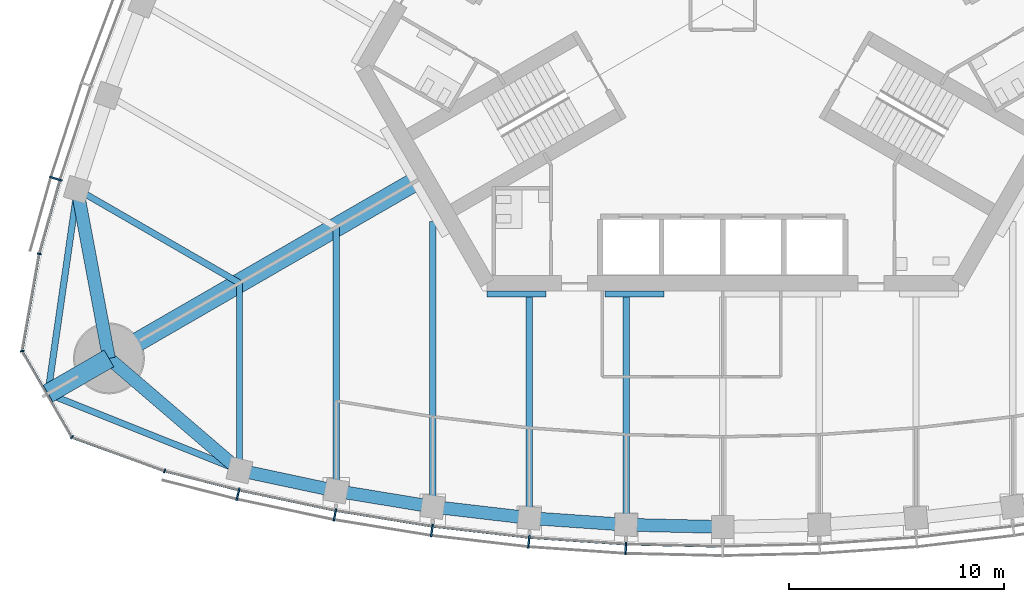
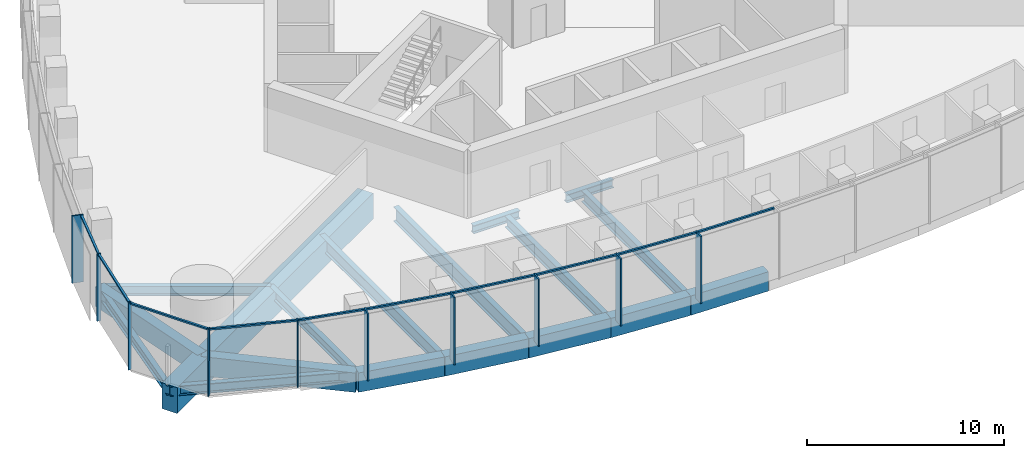
# One storey, part 2 of 19: 20 members, 19 beams, 3 elements without a shape of their own.
"""IFC4 building model written with IfcOpenShell, lengths in metres."""

from ifc_helpers import new_model, si_unit, direction, frame, origin, origin_2d, place, context, subcontext, project, spatial, rectangle, i_section, extrude, material, material_profile, profile_set, type_object, element, aggregate, save


model = new_model("IFC4")

# Units and contexts
model_context = context("Model", 3, precision=1e-05, world=origin(), true_north=direction((0.0, 1.0)))
body_context = subcontext(model_context, "Body", "Model", "MODEL_VIEW")
ifc_project = project(units=[si_unit("LENGTHUNIT", "METRE"), si_unit("AREAUNIT", "SQUARE_METRE"), si_unit("VOLUMEUNIT", "CUBIC_METRE"), si_unit("PLANEANGLEUNIT", "RADIAN"), si_unit("MASSUNIT", "GRAM", prefix="KILO")], contexts=[model_context])

# Site, building, storey
site_placement = place(None, origin())
site = spatial("IfcSite", under=ifc_project, at=site_placement, CompositionType="ELEMENT")
building_placement = place(site_placement, origin())
building = spatial("IfcBuilding", under=site, at=building_placement, Name="Trefoil Bronze Tower", CompositionType="ELEMENT")
storey_placement = place(building_placement, frame((0.0, 0.0, 235.89990234375)))
storey = spatial("IfcBuildingStorey", under=building, at=storey_placement, Name="L54", CompositionType="ELEMENT", Elevation=235.89990234375)

# Curtain wall, members
ifc_material_1 = material(Name="Tinted solar-control glass", Category="glass")
curtain_wall_type_1 = type_object("IfcCurtainWallType", Name="Bronze office curtain wall", PredefinedType="USERDEFINED", material=ifc_material_1)
curtain_wall_1_placement = place(storey_placement, origin())
curtain_wall_1 = element("IfcCurtainWall", 1, at=curtain_wall_1_placement, inside=storey, type_object=curtain_wall_type_1, Name="CW-A L54 F1", ObjectType="CURTAIN WALL", PredefinedType="USERDEFINED")
ifc_material_2 = material(Name="Bronze-finish aluminium", Category="aluminium")
ifc_material_profile_1 = material_profile(ifc_material_2, rectangle(XDim=0.60009765625, YDim=0.080078125, at=origin_2d()), Name="CW-A mullion")
ifc_profile_set_1 = profile_set([ifc_material_profile_1], Name="Bronze-finish aluminium")
member_type_1 = type_object("IfcMemberType", Name="Bronze office curtain wall mullion", PredefinedType="MULLION", material=ifc_profile_set_1)
member_1_placement = place(storey_placement, frame((-22.568115234375, -22.82421875, 0.0), z_axis=(0.0, 0.0, 1.0), x_axis=(0.227082662569, 0.973875487093, 0.0)))
member_1 = element("IfcMember", 2, at=member_1_placement, type_object=member_type_1, Name="CW-A L54 F1 mullion 2", PredefinedType="MULLION", context=body_context, shape_type="SweptSolid", body=[
    extrude(rectangle(XDim=0.60009765625, YDim=0.080078125, at=origin_2d()), origin(), (0.0, 0.0, 1.0), 4.18017578125),
])
member_2_placement = place(storey_placement, frame((-18.05517578125, -23.77783203125, 0.0), z_axis=(0.0, 0.0, 1.0), x_axis=(0.183825368167, 0.982958917767, 0.0)))
member_2 = element("IfcMember", 3, at=member_2_placement, type_object=member_type_1, Name="CW-A L54 F1 mullion 3", PredefinedType="MULLION", context=body_context, shape_type="SweptSolid", body=[
    extrude(rectangle(XDim=0.60009765625, YDim=0.080078125, at=origin_2d()), origin(), (0.0, 0.0, 1.0), 4.18017578125),
])
member_3_placement = place(storey_placement, frame((-13.541259765625, -24.51318359375, 0.0), z_axis=(0.0, 0.0, 1.0), x_axis=(0.137867887204, 0.990450627582, 0.0)))
member_3 = element("IfcMember", 4, at=member_3_placement, type_object=member_type_1, Name="CW-A L54 F1 mullion 4", PredefinedType="MULLION", context=body_context, shape_type="SweptSolid", body=[
    extrude(rectangle(XDim=0.60009765625, YDim=0.080078125, at=origin_2d()), origin(), (0.0, 0.0, 1.0), 4.18017578125),
])
member_4_placement = place(storey_placement, frame((-9.027587890625, -25.03515625, 0.0), z_axis=(0.0, 0.0, 1.0), x_axis=(0.091911396394, 0.995767189263, 0.0)))
member_4 = element("IfcMember", 5, at=member_4_placement, type_object=member_type_1, Name="CW-A L54 F1 mullion 5", PredefinedType="MULLION", context=body_context, shape_type="SweptSolid", body=[
    extrude(rectangle(XDim=0.60009765625, YDim=0.080078125, at=origin_2d()), origin(), (0.0, 0.0, 1.0), 4.18017578125),
])
member_5_placement = place(storey_placement, frame((-4.513671875, -25.346923828125, 0.0), z_axis=(0.0, 0.0, 1.0), x_axis=(0.045955542372, 0.998943485952, 0.0)))
member_5 = element("IfcMember", 6, at=member_5_placement, type_object=member_type_1, Name="CW-A L54 F1 mullion 6", PredefinedType="MULLION", context=body_context, shape_type="SweptSolid", body=[
    extrude(rectangle(XDim=0.60009765625, YDim=0.080078125, at=origin_2d()), origin(), (0.0, 0.0, 1.0), 4.18017578125),
])

# Curtain wall, member
curtain_wall_2_placement = place(storey_placement, origin())
curtain_wall_2 = element("IfcCurtainWall", 7, at=curtain_wall_2_placement, inside=storey, type_object=curtain_wall_type_1, Name="CW-A L54 F3", ObjectType="CURTAIN WALL", PredefinedType="USERDEFINED")
member_6_placement = place(storey_placement, frame((-31.05029296875, -8.132568359375, 0.0), z_axis=(0.0, 0.0, 1.0), x_axis=(0.95694224323, -0.290278389002, 0.0)))
member_6 = element("IfcMember", 8, at=member_6_placement, type_object=member_type_1, Name="CW-A L54 F3 mullion 12", PredefinedType="MULLION", context=body_context, shape_type="SweptSolid", body=[
    extrude(rectangle(XDim=0.60009765625, YDim=0.080078125, at=origin_2d()), origin(), (0.0, 0.0, 1.0), 4.18017578125),
])

# Member
ifc_material_3 = material(Name="Bronze-finish aluminium", Category="aluminium")
ifc_material_profile_2 = material_profile(ifc_material_3, rectangle(XDim=0.1201171875, YDim=0.10009765625, at=origin_2d()), Name="CW-A transom")
ifc_profile_set_2 = profile_set([ifc_material_profile_2], Name="Bronze-finish aluminium")
member_type_2 = type_object("IfcMemberType", Name="Bronze office curtain wall transom", PredefinedType="USERDEFINED", material=ifc_profile_set_2)
member_7_placement = place(storey_placement, frame((-25.93896484375, -21.75732421875, 4.130126953125), z_axis=(0.968935220916, -0.247314653162, 0.0), x_axis=(0.247314653162, 0.968935220916, 0.0)))
member_7 = element("IfcMember", 9, at=member_7_placement, type_object=member_type_2, Name="CW-A L54 F1 transom 1", ObjectType="TRANSOM", PredefinedType="USERDEFINED", context=body_context, shape_type="SweptSolid", body=[
    extrude(rectangle(XDim=0.1201171875, YDim=0.10009765625, at=origin_2d()), origin(), (0.0, 0.0, 1.0), 3.483642578125),
])

member_8_placement = place(storey_placement, frame((-22.4814453125, -22.63818359375, 4.130126953125), z_axis=(0.978395325657, -0.20674280334, 0.0), x_axis=(0.20674280334, 0.978395325657, 0.0)))
member_8 = element("IfcMember", 10, at=member_8_placement, type_object=member_type_2, Name="CW-A L54 F1 transom 2", ObjectType="TRANSOM", PredefinedType="USERDEFINED", context=body_context, shape_type="SweptSolid", body=[
    extrude(rectangle(XDim=0.1201171875, YDim=0.10009765625, at=origin_2d()), origin(), (0.0, 0.0, 1.0), 4.519287109375),
])

member_9_placement = place(storey_placement, frame((-17.9765625, -23.588134765625, 4.130126953125), z_axis=(0.986988367046, -0.160791676761, 0.0), x_axis=(0.160791676761, 0.986988367046, 0.0)))
member_9 = element("IfcMember", 11, at=member_9_placement, type_object=member_type_2, Name="CW-A L54 F1 transom 3", ObjectType="TRANSOM", PredefinedType="USERDEFINED", context=body_context, shape_type="SweptSolid", body=[
    extrude(rectangle(XDim=0.1201171875, YDim=0.10009765625, at=origin_2d()), origin(), (0.0, 0.0, 1.0), 4.479248046875),
])

member_10_placement = place(storey_placement, frame((-13.4716796875, -24.320068359375, 4.130126953125), z_axis=(0.993384885596, -0.114832352013, 0.0), x_axis=(0.114832352013, 0.993384885596, 0.0)))
member_10 = element("IfcMember", 12, at=member_10_placement, type_object=member_type_2, Name="CW-A L54 F1 transom 4", ObjectType="TRANSOM", PredefinedType="USERDEFINED", context=body_context, shape_type="SweptSolid", body=[
    extrude(rectangle(XDim=0.1201171875, YDim=0.10009765625, at=origin_2d()), origin(), (0.0, 0.0, 1.0), 4.449951171875),
])

member_11_placement = place(storey_placement, frame((-8.967041015625, -24.8388671875, 4.130126953125), z_axis=(0.997621320987, -0.06893257512, 0.0), x_axis=(0.06893257512, 0.997621320987, 0.0)))
member_11 = element("IfcMember", 13, at=member_11_placement, type_object=member_type_2, Name="CW-A L54 F1 transom 5", ObjectType="TRANSOM", PredefinedType="USERDEFINED", context=body_context, shape_type="SweptSolid", body=[
    extrude(rectangle(XDim=0.1201171875, YDim=0.10009765625, at=origin_2d()), origin(), (0.0, 0.0, 1.0), 4.4306640625),
])

member_12_placement = place(storey_placement, frame((-4.46240234375, -25.148193359375, 4.130126953125), z_axis=(0.999736131416, -0.022971015226, 0.0), x_axis=(0.022971015226, 0.999736131416, 0.0)))
member_12 = element("IfcMember", 14, at=member_12_placement, type_object=member_type_2, Name="CW-A L54 F1 transom 6", ObjectType="TRANSOM", PredefinedType="USERDEFINED", context=body_context, shape_type="SweptSolid", body=[
    extrude(rectangle(XDim=0.1201171875, YDim=0.10009765625, at=origin_2d()), origin(), (0.0, 0.0, 1.0), 4.42138671875),
])

aggregate(curtain_wall_1, [member_1, member_2, member_3, member_4, member_5, member_7, member_8, member_9, member_10, member_11, member_12])

member_13_placement = place(storey_placement, frame((-30.870361328125, -8.23095703125, 4.130126953125), z_axis=(-0.270284880437, -0.962780392097, 0.0), x_axis=(0.962780392097, -0.270284880437, 0.0)))
member_13 = element("IfcMember", 15, at=member_13_placement, type_object=member_type_2, Name="CW-A L54 F3 transom 12", ObjectType="TRANSOM", PredefinedType="USERDEFINED", context=body_context, shape_type="SweptSolid", body=[
    extrude(rectangle(XDim=0.1201171875, YDim=0.10009765625, at=origin_2d()), origin(), (0.0, 0.0, 1.0), 3.48388671875),
])

aggregate(curtain_wall_2, [member_6, member_13])

# Curtain wall, members
ifc_material_4 = material(Name="Tinted solar-control glass", Category="glass")
curtain_wall_type_2 = type_object("IfcCurtainWallType", Name="Bronze rounded corner curtain wall", PredefinedType="USERDEFINED", material=ifc_material_4)
curtain_wall_3_placement = place(storey_placement, origin())
curtain_wall_3 = element("IfcCurtainWall", 16, at=curtain_wall_3_placement, inside=storey, type_object=curtain_wall_type_2, Name="CW-B L54 K3", ObjectType="CURTAIN WALL", PredefinedType="USERDEFINED")
ifc_material_5 = material(Name="Bronze-finish aluminium", Category="aluminium")
ifc_material_profile_3 = material_profile(ifc_material_5, rectangle(XDim=0.199951171875, YDim=0.06005859375, at=origin_2d()), Name="CW-B mullion")
ifc_profile_set_3 = profile_set([ifc_material_profile_3], Name="Bronze-finish aluminium")
member_type_3 = type_object("IfcMemberType", Name="Bronze rounded corner curtain wall mullion", PredefinedType="MULLION", material=ifc_profile_set_3)
member_14_placement = place(storey_placement, frame((-31.824951171875, -11.63330078125, 0.0), z_axis=(0.0, 0.0, 1.0), x_axis=(0.984807753012, -0.173648177667, 0.0)))
member_14 = element("IfcMember", 17, at=member_14_placement, type_object=member_type_3, Name="CW-B L54 K3 mullion 1", PredefinedType="MULLION", context=body_context, shape_type="SweptSolid", body=[
    extrude(rectangle(XDim=0.199951171875, YDim=0.06005859375, at=origin_2d()), origin(), (0.0, 0.0, 1.0), 4.18017578125),
])
member_15_placement = place(storey_placement, frame((-32.616943359375, -16.158935546875, 0.0), z_axis=(0.0, 0.0, 1.0), x_axis=(0.984807753012, 0.173648177667, 0.0)))
member_15 = element("IfcMember", 18, at=member_15_placement, type_object=member_type_3, Name="CW-B L54 K3 mullion 2", PredefinedType="MULLION", context=body_context, shape_type="SweptSolid", body=[
    extrude(rectangle(XDim=0.199951171875, YDim=0.06005859375, at=origin_2d()), origin(), (0.0, 0.0, 1.0), 4.18017578125),
])
member_16_placement = place(storey_placement, frame((-30.302490234375, -20.16748046875, 0.0), z_axis=(0.0, 0.0, 1.0), x_axis=(0.642787609687, 0.766044443119, 0.0)))
member_16 = element("IfcMember", 19, at=member_16_placement, type_object=member_type_3, Name="CW-B L54 K3 mullion 3", PredefinedType="MULLION", context=body_context, shape_type="SweptSolid", body=[
    extrude(rectangle(XDim=0.199951171875, YDim=0.06005859375, at=origin_2d()), origin(), (0.0, 0.0, 1.0), 4.18017578125),
])
member_17_placement = place(storey_placement, frame((-25.9873046875, -21.74462890625, 0.0), z_axis=(0.0, 0.0, 1.0), x_axis=(0.342020143326, 0.939692620786, 0.0)))
member_17 = element("IfcMember", 20, at=member_17_placement, type_object=member_type_3, Name="CW-B L54 K3 mullion 4", PredefinedType="MULLION", context=body_context, shape_type="SweptSolid", body=[
    extrude(rectangle(XDim=0.199951171875, YDim=0.06005859375, at=origin_2d()), origin(), (0.0, 0.0, 1.0), 4.18017578125),
])
ifc_material_6 = material(Name="Bronze-finish aluminium", Category="aluminium")
ifc_material_profile_4 = material_profile(ifc_material_6, rectangle(XDim=0.1201171875, YDim=0.10009765625, at=origin_2d()), Name="CW-B transom")
ifc_profile_set_4 = profile_set([ifc_material_profile_4], Name="Bronze-finish aluminium")
member_type_4 = type_object("IfcMemberType", Name="Bronze rounded corner curtain wall transom", PredefinedType="USERDEFINED", material=ifc_profile_set_4)
member_18_placement = place(storey_placement, frame((-31.830078125, -11.662841796875, 4.130126953125), z_axis=(-0.173655350028, -0.984806488304, 0.0), x_axis=(0.984806488304, -0.173655350028, 0.0)))
member_18 = element("IfcMember", 21, at=member_18_placement, type_object=member_type_4, Name="CW-B L54 K3 transom 1", ObjectType="TRANSOM", PredefinedType="USERDEFINED", context=body_context, shape_type="SweptSolid", body=[
    extrude(rectangle(XDim=0.1201171875, YDim=0.10009765625, at=origin_2d()), origin(), (0.0, 0.0, 1.0), 4.500244140625),
])
member_19_placement = place(storey_placement, frame((-32.590087890625, -16.217529296875, 4.130126953125), z_axis=(0.500007335828, -0.866021168401, 0.0), x_axis=(0.866021168401, 0.500007335828, 0.0)))
member_19 = element("IfcMember", 22, at=member_19_placement, type_object=member_type_4, Name="CW-B L54 K3 transom 2", ObjectType="TRANSOM", PredefinedType="USERDEFINED", context=body_context, shape_type="SweptSolid", body=[
    extrude(rectangle(XDim=0.1201171875, YDim=0.10009765625, at=origin_2d()), origin(), (0.0, 0.0, 1.0), 4.50048828125),
])
member_20_placement = place(storey_placement, frame((-30.244140625, -20.195068359375, 4.130126953125), z_axis=(0.939680910753, -0.342052314664, 0.0), x_axis=(0.342052314664, 0.939680910753, 0.0)))
member_20 = element("IfcMember", 23, at=member_20_placement, type_object=member_type_4, Name="CW-B L54 K3 transom 3", ObjectType="TRANSOM", PredefinedType="USERDEFINED", context=body_context, shape_type="SweptSolid", body=[
    extrude(rectangle(XDim=0.1201171875, YDim=0.10009765625, at=origin_2d()), origin(), (0.0, 0.0, 1.0), 4.500244140625),
])
aggregate(curtain_wall_3, [member_14, member_15, member_16, member_17, member_18, member_19, member_20])

# Beams
ifc_material_7 = material(Name="Steel C355", Category="steel")
ifc_material_profile_5 = material_profile(ifc_material_7, i_section(OverallWidth=0.300048828125, OverallDepth=0.5, WebThickness=0.014404296875, FlangeThickness=0.028076171875, FilletRadius=0.027099609375, at=origin_2d()), Name="HEB 500")
ifc_profile_set_5 = profile_set([ifc_material_profile_5], Name="Steel C355")
beam_type_1 = type_object("IfcBeamType", Name="Core seat beam HEB 500", PredefinedType="BEAM", material=ifc_profile_set_5)
for number, where, z_axis, x_axis, name in (
    (24, (-10.9697265625, -13.5, -0.449951171875), (1.0, 0.0, 0.0), (0.0, 1.0, 0.0), "Core seat beam F1/-2 L54"),
    (25, (-5.48486328125, -13.5, -0.449951171875), (1.0, 0.0, 0.0), (0.0, 1.0, 0.0), "Core seat beam F1/-1 L54"),
):
    element("IfcBeam", number, at=place(storey_placement, frame(where, z_axis=z_axis, x_axis=x_axis)), inside=storey, type_object=beam_type_1, Name=name, PredefinedType="BEAM", context=body_context, shape_type="SweptSolid", body=[
        extrude(i_section(OverallWidth=0.300048828125, OverallDepth=0.5, WebThickness=0.014404296875, FlangeThickness=0.028076171875, FilletRadius=0.027099609375, at=origin_2d()), origin(), (0.0, 0.0, 1.0), 2.742431640625),
    ])
ifc_material_8 = material(Name="Concrete B80", Category="concrete")
ifc_material_profile_6 = material_profile(ifc_material_8, rectangle(XDim=0.89990234375, YDim=1.60009765625, at=origin_2d()), Name="RC 900x1600")
ifc_profile_set_6 = profile_set([ifc_material_profile_6], Name="Concrete B80")
beam_type_2 = type_object("IfcBeamType", Name="Corner cantilever RC 900x1600", PredefinedType="BEAM", material=ifc_profile_set_6)
beam_1_placement = place(storey_placement, frame((-28.578857421875, -16.5, -1.0), z_axis=(-0.866016004958, -0.500016278891, 0.0), x_axis=(0.500016278891, -0.866016004958, 0.0)))
element("IfcBeam", 26, at=beam_1_placement, inside=storey, type_object=beam_type_2, Name="Corner cantilever K3 L54", PredefinedType="BEAM", context=body_context, shape_type="SweptSolid", body=[
    extrude(rectangle(XDim=0.89990234375, YDim=1.60009765625, at=origin_2d()), origin(), (0.0, 0.0, 1.0), 3.28466796875),
])
ifc_material_9 = material(Name="Steel C355", Category="steel")
ifc_material_profile_7 = material_profile(ifc_material_9, i_section(OverallWidth=0.300048828125, OverallDepth=0.60009765625, WebThickness=0.015380859375, FlangeThickness=0.030029296875, FilletRadius=0.027099609375, at=origin_2d()), Name="HEB 600")
ifc_profile_set_7 = profile_set([ifc_material_profile_7], Name="Steel C355")
beam_type_3 = type_object("IfcBeamType", Name="Corner edge beam HEB 600", PredefinedType="BEAM", material=ifc_profile_set_7)
for number, where, z_axis, x_axis, name in (
    (27, (-22.5, -21.71044921875, -0.5), (-0.92852048463, 0.371281173266, 0.0), (-0.371281173266, -0.92852048463, 0.0), "Corner edge beam F1B L54"),
    (28, (-30.052001953125, -8.63037109375, -0.5), (-0.142694489722, -0.989766781925, 0.0), (0.989766781925, -0.142694489722, 0.0), "Corner edge beam F3A L54"),
):
    element("IfcBeam", number, at=place(storey_placement, frame(where, z_axis=z_axis, x_axis=x_axis)), inside=storey, type_object=beam_type_3, Name=name, PredefinedType="BEAM", context=body_context, shape_type="SweptSolid", body=[
        extrude(i_section(OverallWidth=0.300048828125, OverallDepth=0.60009765625, WebThickness=0.015380859375, FlangeThickness=0.030029296875, FilletRadius=0.027099609375, at=origin_2d()), origin(), (0.0, 0.0, 1.0), 9.6103515625),
    ])
ifc_material_10 = material(Name="Concrete B80", Category="concrete")
ifc_material_profile_8 = material_profile(ifc_material_10, rectangle(XDim=0.89990234375, YDim=1.60009765625, at=origin_2d()), Name="RC 900x1600")
ifc_profile_set_8 = profile_set([ifc_material_profile_8], Name="Concrete B80")
beam_type_4 = type_object("IfcBeamType", Name="Corner girder RC 900x1600", PredefinedType="BEAM", material=ifc_profile_set_8)
beam_2_placement = place(storey_placement, frame((-14.159423828125, -8.175048828125, -1.0), z_axis=(-0.866028334591, -0.49999492366, 0.0), x_axis=(0.49999492366, -0.866028334591, 0.0)))
element("IfcBeam", 29, at=beam_2_placement, inside=storey, type_object=beam_type_4, Name="Corner girder K3 L54", PredefinedType="BEAM", context=body_context, shape_type="SweptSolid", body=[
    extrude(rectangle(XDim=0.89990234375, YDim=1.60009765625, at=origin_2d()), origin(), (0.0, 0.0, 1.0), 16.650146484375),
])
ifc_material_11 = material(Name="Concrete B80", Category="concrete")
ifc_material_profile_9 = material_profile(ifc_material_11, rectangle(XDim=0.60009765625, YDim=1.199951171875, at=origin_2d()), Name="RC 600x1200")
ifc_profile_set_9 = profile_set([ifc_material_profile_9], Name="Concrete B80")
beam_type_5 = type_object("IfcBeamType", Name="End spandrel beam RC 600x1200", PredefinedType="SPANDREL", material=ifc_profile_set_9)
for number, where, z_axis, x_axis, name in (
    (30, (-28.578857421875, -16.5, -0.7998046875), (0.759256602365, -0.650791373456, 0.0), (0.650791373456, 0.759256602365, 0.0), "Spandrel F1.1 L54"),
    (31, (-30.052001953125, -8.63037109375, -0.7998046875), (0.18399763073, -0.982926686933, 0.0), (0.982926686933, 0.18399763073, 0.0), "Spandrel F3.12 L54"),
):
    element("IfcBeam", number, at=place(storey_placement, frame(where, z_axis=z_axis, x_axis=x_axis)), inside=storey, type_object=beam_type_5, Name=name, PredefinedType="SPANDREL", context=body_context, shape_type="SweptSolid", body=[
        extrude(rectangle(XDim=0.60009765625, YDim=1.199951171875, at=origin_2d()), origin(), (0.0, 0.0, 1.0), 8.00634765625),
    ])
ifc_material_12 = material(Name="Steel C355", Category="steel")
ifc_material_profile_10 = material_profile(ifc_material_12, i_section(OverallWidth=0.300048828125, OverallDepth=0.590087890625, WebThickness=0.012939453125, FlangeThickness=0.02490234375, FilletRadius=0.027099609375, at=origin_2d()), Name="HEA 600")
ifc_profile_set_10 = profile_set([ifc_material_profile_10], Name="Steel C355")
beam_type_6 = type_object("IfcBeamType", Name="Floor beam HEA 600", PredefinedType="BEAM", material=ifc_profile_set_10)
beam_3_placement = place(storey_placement, frame((-22.5, -21.71044921875, -0.494873046875), z_axis=(0.0, 1.0, 0.0), x_axis=(-1.0, 0.0, 0.0)))
element("IfcBeam", 32, at=beam_3_placement, inside=storey, type_object=beam_type_6, Name="Floor beam F1/-5 L54", PredefinedType="BEAM", context=body_context, shape_type="SweptSolid", body=[
    extrude(i_section(OverallWidth=0.300048828125, OverallDepth=0.590087890625, WebThickness=0.012939453125, FlangeThickness=0.02490234375, FilletRadius=0.027099609375, at=origin_2d()), origin(), (0.0, 0.0, 1.0), 8.719970703125),
])
beam_4_placement = place(storey_placement, frame((-30.052001953125, -8.63037109375, -0.494873046875), z_axis=(0.866027535932, -0.499996306993, 0.0), x_axis=(0.499996306993, 0.866027535932, 0.0)))
element("IfcBeam", 33, at=beam_4_placement, inside=storey, type_object=beam_type_6, Name="Floor beam F3/+5 L54", PredefinedType="BEAM", context=body_context, shape_type="SweptSolid", body=[
    extrude(i_section(OverallWidth=0.300048828125, OverallDepth=0.590087890625, WebThickness=0.012939453125, FlangeThickness=0.02490234375, FilletRadius=0.027099609375, at=origin_2d()), origin(), (0.0, 0.0, 1.0), 8.72021484375),
])
ifc_material_13 = material(Name="Steel C355", Category="steel")
ifc_material_profile_11 = material_profile(ifc_material_13, i_section(OverallWidth=0.300048828125, OverallDepth=0.699951171875, WebThickness=0.01708984375, FlangeThickness=0.031982421875, FilletRadius=0.027099609375, at=origin_2d()), Name="HEB 700")
ifc_profile_set_11 = profile_set([ifc_material_profile_11], Name="Steel C355")
beam_type_7 = type_object("IfcBeamType", Name="Floor beam HEB 700", PredefinedType="BEAM", material=ifc_profile_set_11)
beam_5_placement = place(storey_placement, frame((-9.0, -23.932861328125, -0.5498046875), z_axis=(0.0, 1.0, 0.0), x_axis=(-1.0, 0.0, 0.0)))
element("IfcBeam", 34, at=beam_5_placement, inside=storey, type_object=beam_type_7, Name="Floor beam F1/-2 L54", PredefinedType="BEAM", context=body_context, shape_type="SweptSolid", body=[
    extrude(i_section(OverallWidth=0.300048828125, OverallDepth=0.699951171875, WebThickness=0.01708984375, FlangeThickness=0.031982421875, FilletRadius=0.027099609375, at=origin_2d()), origin(), (0.0, 0.0, 1.0), 10.282958984375),
])
beam_6_placement = place(storey_placement, frame((-4.5, -24.246337890625, -0.5498046875), z_axis=(0.0, 1.0, 0.0), x_axis=(-1.0, 0.0, 0.0)))
element("IfcBeam", 35, at=beam_6_placement, inside=storey, type_object=beam_type_7, Name="Floor beam F1/-1 L54", PredefinedType="BEAM", context=body_context, shape_type="SweptSolid", body=[
    extrude(i_section(OverallWidth=0.300048828125, OverallDepth=0.699951171875, WebThickness=0.01708984375, FlangeThickness=0.031982421875, FilletRadius=0.027099609375, at=origin_2d()), origin(), (0.0, 0.0, 1.0), 10.596435546875),
])
ifc_material_14 = material(Name="Steel C355", Category="steel")
ifc_material_profile_12 = material_profile(ifc_material_14, i_section(OverallWidth=0.300048828125, OverallDepth=0.800048828125, WebThickness=0.017578125, FlangeThickness=0.032958984375, FilletRadius=0.030029296875, at=origin_2d()), Name="HEB 800")
ifc_profile_set_12 = profile_set([ifc_material_profile_12], Name="Steel C355")
beam_type_8 = type_object("IfcBeamType", Name="Floor beam HEB 800", PredefinedType="BEAM", material=ifc_profile_set_12)
beam_7_placement = place(storey_placement, frame((-18.0, -22.6689453125, -0.599853515625), z_axis=(0.0, 1.0, 0.0), x_axis=(-1.0, 0.0, 0.0)))
element("IfcBeam", 36, at=beam_7_placement, inside=storey, type_object=beam_type_8, Name="Floor beam F1/-4 L54", PredefinedType="BEAM", context=body_context, shape_type="SweptSolid", body=[
    extrude(i_section(OverallWidth=0.300048828125, OverallDepth=0.800048828125, WebThickness=0.017578125, FlangeThickness=0.032958984375, FilletRadius=0.030029296875, at=origin_2d()), origin(), (0.0, 0.0, 1.0), 12.276611328125),
])
ifc_material_15 = material(Name="Steel C355", Category="steel")
ifc_material_profile_13 = material_profile(ifc_material_15, i_section(OverallWidth=0.300048828125, OverallDepth=0.89990234375, WebThickness=0.0185546875, FlangeThickness=0.034912109375, FilletRadius=0.030029296875, at=origin_2d()), Name="HEB 900")
ifc_profile_set_13 = profile_set([ifc_material_profile_13], Name="Steel C355")
beam_type_9 = type_object("IfcBeamType", Name="Floor beam HEB 900", PredefinedType="BEAM", material=ifc_profile_set_13)
beam_8_placement = place(storey_placement, frame((-13.5, -23.408447265625, -0.64990234375), z_axis=(0.0, 1.0, 0.0), x_axis=(-1.0, 0.0, 0.0)))
element("IfcBeam", 37, at=beam_8_placement, inside=storey, type_object=beam_type_9, Name="Floor beam F1/-3 L54", PredefinedType="BEAM", context=body_context, shape_type="SweptSolid", body=[
    extrude(i_section(OverallWidth=0.300048828125, OverallDepth=0.89990234375, WebThickness=0.0185546875, FlangeThickness=0.034912109375, FilletRadius=0.030029296875, at=origin_2d()), origin(), (0.0, 0.0, 1.0), 13.291015625),
])
ifc_material_16 = material(Name="Concrete B80", Category="concrete")
ifc_material_profile_14 = material_profile(ifc_material_16, rectangle(XDim=0.60009765625, YDim=1.199951171875, at=origin_2d()), Name="RC 600x1200")
ifc_profile_set_14 = profile_set([ifc_material_profile_14], Name="Concrete B80")
beam_type_10 = type_object("IfcBeamType", Name="Spandrel beam RC 600x1200", PredefinedType="SPANDREL", material=ifc_profile_set_14)
beam_9_placement = place(storey_placement, frame((-22.5, -21.71044921875, -0.7998046875), z_axis=(0.978059483036, -0.208325820877, 0.0), x_axis=(0.208325820877, 0.978059483036, 0.0)))
element("IfcBeam", 38, at=beam_9_placement, inside=storey, type_object=beam_type_10, Name="Spandrel F1.2 L54", PredefinedType="SPANDREL", context=body_context, shape_type="SweptSolid", body=[
    extrude(rectangle(XDim=0.60009765625, YDim=1.199951171875, at=origin_2d()), origin(), (0.0, 0.0, 1.0), 4.600830078125),
])
beam_10_placement = place(storey_placement, frame((-18.0, -22.6689453125, -0.7998046875), z_axis=(0.986764681833, -0.162158757664, 0.0), x_axis=(0.162158757664, 0.986764681833, 0.0)))
element("IfcBeam", 39, at=beam_10_placement, inside=storey, type_object=beam_type_10, Name="Spandrel F1.3 L54", PredefinedType="SPANDREL", context=body_context, shape_type="SweptSolid", body=[
    extrude(rectangle(XDim=0.60009765625, YDim=1.199951171875, at=origin_2d()), origin(), (0.0, 0.0, 1.0), 4.560302734375),
])
beam_11_placement = place(storey_placement, frame((-13.5, -23.408447265625, -0.7998046875), z_axis=(0.993278017132, -0.115753102257, 0.0), x_axis=(0.115753102257, 0.993278017132, 0.0)))
element("IfcBeam", 40, at=beam_11_placement, inside=storey, type_object=beam_type_10, Name="Spandrel F1.4 L54", PredefinedType="SPANDREL", context=body_context, shape_type="SweptSolid", body=[
    extrude(rectangle(XDim=0.60009765625, YDim=1.199951171875, at=origin_2d()), origin(), (0.0, 0.0, 1.0), 4.530517578125),
])
beam_12_placement = place(storey_placement, frame((-9.0, -23.932861328125, -0.7998046875), z_axis=(0.997582435881, -0.069493047291, 0.0), x_axis=(0.069493047291, 0.997582435881, 0.0)))
element("IfcBeam", 41, at=beam_12_placement, inside=storey, type_object=beam_type_10, Name="Spandrel F1.5 L54", PredefinedType="SPANDREL", context=body_context, shape_type="SweptSolid", body=[
    extrude(rectangle(XDim=0.60009765625, YDim=1.199951171875, at=origin_2d()), origin(), (0.0, 0.0, 1.0), 4.510986328125),
])
beam_13_placement = place(storey_placement, frame((-4.5, -24.246337890625, -0.7998046875), z_axis=(0.999731770792, -0.023160018779, 0.0), x_axis=(0.023160018779, 0.999731770792, 0.0)))
element("IfcBeam", 42, at=beam_13_placement, inside=storey, type_object=beam_type_10, Name="Spandrel F1.6 L54", PredefinedType="SPANDREL", context=body_context, shape_type="SweptSolid", body=[
    extrude(rectangle(XDim=0.60009765625, YDim=1.199951171875, at=origin_2d()), origin(), (0.0, 0.0, 1.0), 4.501220703125),
])

save(model, "model.ifc")
